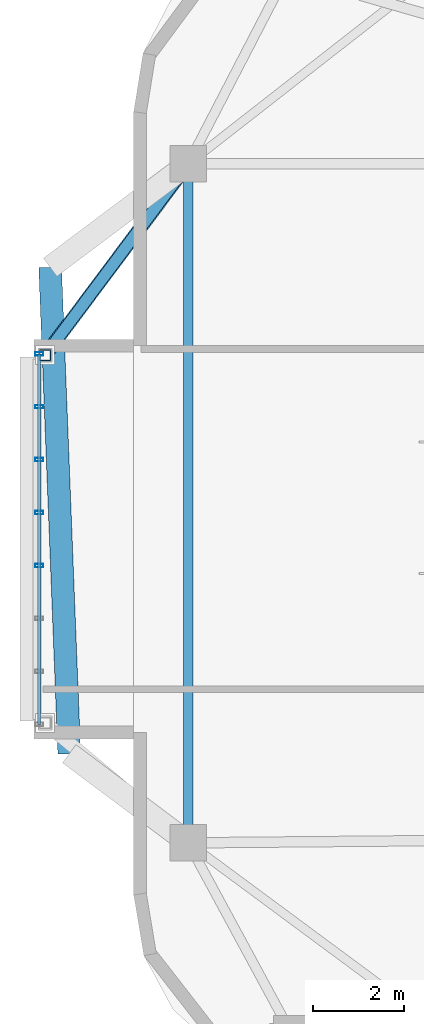
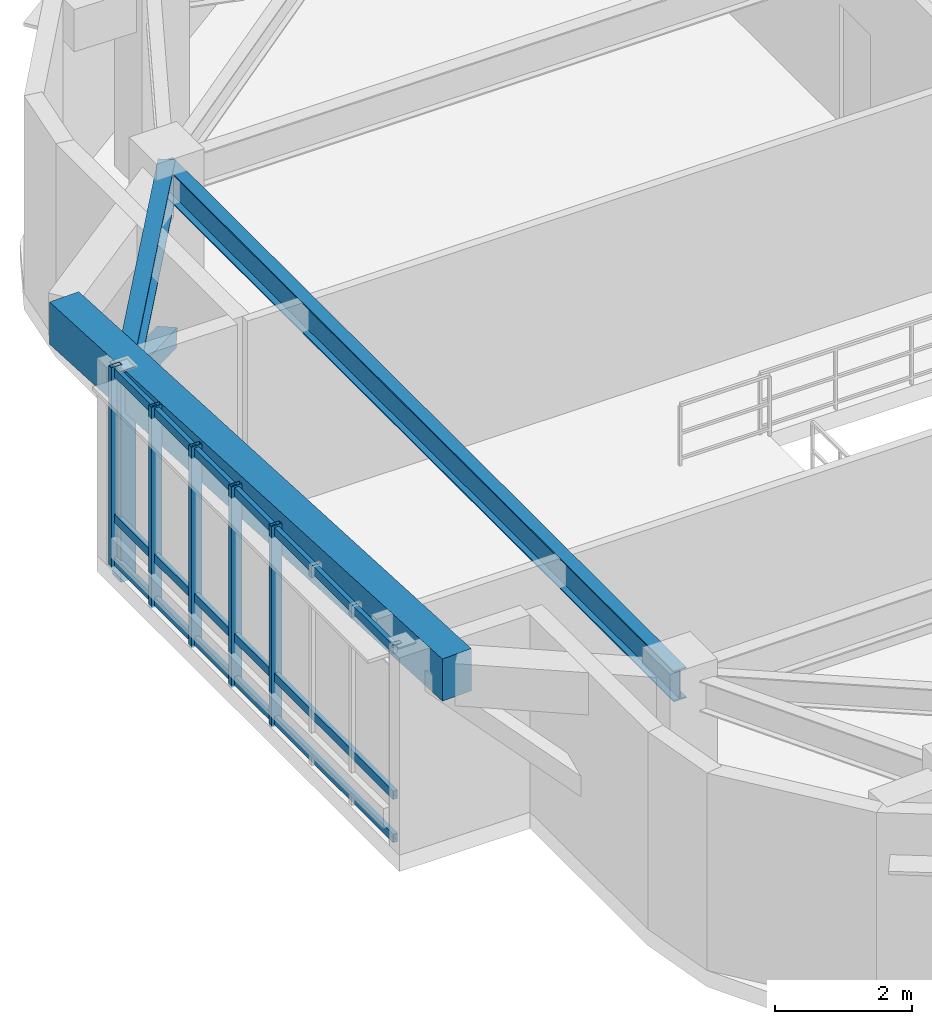
# One storey, part 4 of 16: 10 members, 3 beams, 1 element without a shape of its own.
"""IFC4 building model written with IfcOpenShell, lengths in metres."""

from ifc_helpers import new_model, si_unit, direction, frame, origin, origin_2d, place, context, subcontext, project, spatial, rectangle, hollow_rectangle, i_section, extrude, material, material_profile, profile_set, type_object, element, aggregate, save


model = new_model("IFC4")

# Units and contexts
model_context = context("Model", 3, precision=1e-05, world=origin(), true_north=direction((0.0, 1.0)))
body_context = subcontext(model_context, "Body", "Model", "MODEL_VIEW")
ifc_project = project(units=[si_unit("LENGTHUNIT", "METRE"), si_unit("AREAUNIT", "SQUARE_METRE"), si_unit("VOLUMEUNIT", "CUBIC_METRE"), si_unit("PLANEANGLEUNIT", "RADIAN"), si_unit("MASSUNIT", "GRAM", prefix="KILO")], contexts=[model_context])

# Site, building, storey
site_placement = place(None, origin())
site = spatial("IfcSite", under=ifc_project, at=site_placement, CompositionType="ELEMENT")
building_placement = place(site_placement, origin())
building = spatial("IfcBuilding", under=site, at=building_placement, Name="Zulverin Broadcast Headquarters", CompositionType="ELEMENT")
storey_placement = place(building_placement, frame((0.0, 0.0, 228.800048828125)))
storey = spatial("IfcBuildingStorey", under=building, at=storey_placement, Name="L58", CompositionType="ELEMENT", Elevation=228.800048828125)

# Beams
ifc_material_1 = material(Name="Concrete C40/50", Category="concrete")
ifc_material_profile_1 = material_profile(ifc_material_1, rectangle(XDim=0.5, YDim=0.75, at=origin_2d()), Name="Concrete C40/50", Category="concrete")
ifc_profile_set_1 = profile_set([ifc_material_profile_1], Name="Concrete C40/50")
beam_type_1 = type_object("IfcBeamType", Name="BM-RC-500x750", PredefinedType="BEAM", material=ifc_profile_set_1)
beam_1_placement = place(storey_placement, frame((8.259033203125, 29.99658203125, 3.135009765625), z_axis=(0.039252429165, -0.999229326433, 0.0), x_axis=(0.999229326433, 0.039252429165, 0.0)))
element("IfcBeam", 1, at=beam_1_placement, inside=storey, type_object=beam_type_1, Name="L59 Balcony Outer Edge Trimmer Beam BAL_W", PredefinedType="BEAM", context=body_context, shape_type="SweptSolid", body=[
    extrude(rectangle(XDim=0.5, YDim=0.75, at=origin_2d()), origin(), (0.0, 0.0, 1.0), 10.722900390625),
])
ifc_material_2 = material(Name="Structural steel S355JR", Category="steel")
ifc_material_profile_2 = material_profile(ifc_material_2, i_section(OverallWidth=0.2119140625, OverallDepth=0.54443359375, WebThickness=0.0126953125, FlangeThickness=0.021240234375, at=origin_2d()), Name="Structural steel S355JR", Category="steel")
ifc_profile_set_2 = profile_set([ifc_material_profile_2], Name="Structural steel S355JR")
beam_type_2 = type_object("IfcBeamType", Name="BM-UB-533", PredefinedType="SPANDREL", material=ifc_profile_set_2)
beam_2_placement = place(storey_placement, frame((11.300048828125, 32.275390625, 3.237548828125), z_axis=(0.0, -1.0, 0.0), x_axis=(1.0, 0.0, 0.0)))
element("IfcBeam", 2, at=beam_2_placement, inside=storey, type_object=beam_type_2, Name="L58 Perimeter Spandrel Beam SP-13", PredefinedType="SPANDREL", context=body_context, shape_type="SweptSolid", body=[
    extrude(i_section(OverallWidth=0.2119140625, OverallDepth=0.54443359375, WebThickness=0.0126953125, FlangeThickness=0.021240234375, at=origin_2d()), origin(), (0.0, 0.0, 1.0), 14.956787109375),
])
ifc_material_profile_3 = material_profile(ifc_material_2, i_section(OverallWidth=0.255859375, OverallDepth=0.69287109375, WebThickness=0.014404296875, FlangeThickness=0.023681640625, at=origin_2d()), Name="Structural steel S355JR", Category="steel")
ifc_profile_set_3 = profile_set([ifc_material_profile_3], Name="Structural steel S355JR")
beam_type_3 = type_object("IfcBeamType", Name="BM-UB-686", PredefinedType="BEAM", material=ifc_profile_set_3)
beam_3_placement = place(storey_placement, frame((11.300048828125, 32.275390625, 3.163330078125), z_axis=(-0.598618428729, -0.801034316859, 0.0), x_axis=(0.801034316859, -0.598618428729, 0.0)))
element("IfcBeam", 3, at=beam_3_placement, inside=storey, type_object=beam_type_3, Name="L58 Studio Box Cantilever Girder SBOX_SKY2_W-2", PredefinedType="BEAM", context=body_context, shape_type="SweptSolid", body=[
    extrude(i_section(OverallWidth=0.255859375, OverallDepth=0.69287109375, WebThickness=0.014404296875, FlangeThickness=0.023681640625, at=origin_2d()), origin(), (0.0, 0.0, 1.0), 5.262451171875),
])

# Curtain wall, members
ifc_material_3 = material(Name="Acoustic triple-glazed studio box curtain wall", Category="aluminium")
curtain_wall_type = type_object("IfcCurtainWallType", Name="CW-SBOX", PredefinedType="USERDEFINED", material=ifc_material_3)
curtain_wall_placement = place(storey_placement, origin())
curtain_wall = element("IfcCurtainWall", 4, at=curtain_wall_placement, inside=storey, type_object=curtain_wall_type, Name="L58 Unitised Curtain Wall CW-L58-SBOX_SKY2_W-F", ObjectType="UNITISED CURTAIN WALL", PredefinedType="USERDEFINED")
ifc_material_4 = material(Name="Anodized pale-metal aluminium alloy 6063-T6", Category="aluminium")
ifc_material_profile_4 = material_profile(ifc_material_4, hollow_rectangle(XDim=0.074951171875, YDim=0.179931640625, WallThickness=0.0048828125, at=origin_2d()), Name="Anodized pale-metal aluminium alloy 6063-T6", Category="aluminium")
ifc_profile_set_4 = profile_set([ifc_material_profile_4], Name="Anodized pale-metal aluminium alloy 6063-T6")
member_type_1 = type_object("IfcMemberType", Name="CW-MUL-180", PredefinedType="MULLION", material=ifc_profile_set_4)
member_1_placement = place(storey_placement, frame((8.02001953125, 28.090087890625, -0.030029296875), z_axis=(0.0, 0.0, 1.0), x_axis=(0.0, -1.0, 0.0)))
member_1 = element("IfcMember", 5, at=member_1_placement, type_object=member_type_1, Name="CW-L58-SBOX_SKY2_W-F Mullion 00", PredefinedType="MULLION", context=body_context, shape_type="SweptSolid", body=[
    extrude(hollow_rectangle(XDim=0.074951171875, YDim=0.179931640625, WallThickness=0.0048828125, at=origin_2d()), origin(), (0.0, 0.0, 1.0), 3.570068359375),
])
member_2_placement = place(storey_placement, frame((8.02001953125, 26.92431640625, -0.030029296875), z_axis=(0.0, 0.0, 1.0), x_axis=(0.0, -1.0, 0.0)))
member_2 = element("IfcMember", 6, at=member_2_placement, type_object=member_type_1, Name="CW-L58-SBOX_SKY2_W-F Mullion 01", PredefinedType="MULLION", context=body_context, shape_type="SweptSolid", body=[
    extrude(hollow_rectangle(XDim=0.074951171875, YDim=0.179931640625, WallThickness=0.0048828125, at=origin_2d()), origin(), (0.0, 0.0, 1.0), 3.570068359375),
])
member_3_placement = place(storey_placement, frame((8.02001953125, 25.758544921875, -0.030029296875), z_axis=(0.0, 0.0, 1.0), x_axis=(0.0, -1.0, 0.0)))
member_3 = element("IfcMember", 7, at=member_3_placement, type_object=member_type_1, Name="CW-L58-SBOX_SKY2_W-F Mullion 02", PredefinedType="MULLION", context=body_context, shape_type="SweptSolid", body=[
    extrude(hollow_rectangle(XDim=0.074951171875, YDim=0.179931640625, WallThickness=0.0048828125, at=origin_2d()), origin(), (0.0, 0.0, 1.0), 3.570068359375),
])
member_4_placement = place(storey_placement, frame((8.02001953125, 24.593017578125, -0.030029296875), z_axis=(0.0, 0.0, 1.0), x_axis=(0.0, -1.0, 0.0)))
member_4 = element("IfcMember", 8, at=member_4_placement, type_object=member_type_1, Name="CW-L58-SBOX_SKY2_W-F Mullion 03", PredefinedType="MULLION", context=body_context, shape_type="SweptSolid", body=[
    extrude(hollow_rectangle(XDim=0.074951171875, YDim=0.179931640625, WallThickness=0.0048828125, at=origin_2d()), origin(), (0.0, 0.0, 1.0), 3.570068359375),
])
member_5_placement = place(storey_placement, frame((8.02001953125, 23.427001953125, -0.030029296875), z_axis=(0.0, 0.0, 1.0), x_axis=(0.0, -1.0, 0.0)))
member_5 = element("IfcMember", 9, at=member_5_placement, type_object=member_type_1, Name="CW-L58-SBOX_SKY2_W-F Mullion 04", PredefinedType="MULLION", context=body_context, shape_type="SweptSolid", body=[
    extrude(hollow_rectangle(XDim=0.074951171875, YDim=0.179931640625, WallThickness=0.0048828125, at=origin_2d()), origin(), (0.0, 0.0, 1.0), 3.570068359375),
])
ifc_material_profile_5 = material_profile(ifc_material_4, hollow_rectangle(XDim=0.074951171875, YDim=0.14990234375, WallThickness=0.0048828125, at=origin_2d()), Name="Anodized pale-metal aluminium alloy 6063-T6", Category="aluminium")
ifc_profile_set_5 = profile_set([ifc_material_profile_5], Name="Anodized pale-metal aluminium alloy 6063-T6")
member_type_2 = type_object("IfcMemberType", Name="CW-TRN-150", PredefinedType="USERDEFINED", material=ifc_profile_set_5)
member_6_placement = place(storey_placement, frame((8.02001953125, 28.090087890625, 0.074951171875), z_axis=(0.0, -1.0, 0.0), x_axis=(1.0, 0.0, 0.0)))
member_6 = element("IfcMember", 10, at=member_6_placement, type_object=member_type_2, Name="CW-L58-SBOX_SKY2_W-F Transom 0", ObjectType="TRANSOM", PredefinedType="USERDEFINED", context=body_context, shape_type="SweptSolid", body=[
    extrude(hollow_rectangle(XDim=0.074951171875, YDim=0.14990234375, WallThickness=0.0048828125, at=origin_2d()), origin(), (0.0, 0.0, 1.0), 8.16015625),
])
member_7_placement = place(storey_placement, frame((8.02001953125, 28.090087890625, 0.84228515625), z_axis=(0.0, -1.0, 0.0), x_axis=(1.0, 0.0, 0.0)))
member_7 = element("IfcMember", 11, at=member_7_placement, type_object=member_type_2, Name="CW-L58-SBOX_SKY2_W-F Transom 1", ObjectType="TRANSOM", PredefinedType="USERDEFINED", context=body_context, shape_type="SweptSolid", body=[
    extrude(hollow_rectangle(XDim=0.074951171875, YDim=0.14990234375, WallThickness=0.0048828125, at=origin_2d()), origin(), (0.0, 0.0, 1.0), 8.16015625),
])
member_8_placement = place(storey_placement, frame((8.02001953125, 28.090087890625, 3.43505859375), z_axis=(0.0, -1.0, 0.0), x_axis=(1.0, 0.0, 0.0)))
member_8 = element("IfcMember", 12, at=member_8_placement, type_object=member_type_2, Name="CW-L58-SBOX_SKY2_W-F Transom 2", ObjectType="TRANSOM", PredefinedType="USERDEFINED", context=body_context, shape_type="SweptSolid", body=[
    extrude(hollow_rectangle(XDim=0.074951171875, YDim=0.14990234375, WallThickness=0.0048828125, at=origin_2d()), origin(), (0.0, 0.0, 1.0), 8.16015625),
])
aggregate(curtain_wall, [member_1, member_2, member_3, member_4, member_5, member_6, member_7, member_8])

# Members
ifc_material_profile_6 = material_profile(ifc_material_2, hollow_rectangle(XDim=0.300048828125, YDim=0.300048828125, WallThickness=0.01611328125, at=origin_2d()), Name="Structural steel S355JR", Category="steel")
ifc_profile_set_6 = profile_set([ifc_material_profile_6], Name="Structural steel S355JR")
member_type_3 = type_object("IfcMemberType", Name="MBR-BLT-DIAG1", PredefinedType="BRACE", material=ifc_profile_set_6)
member_9_placement = place(storey_placement, frame((11.300048828125, 32.275390625, 0.349853515625), z_axis=(-0.525955437975, -0.703801177407, 0.477529873353), x_axis=(0.801034316859, -0.598618428729, 0.0)))
element("IfcMember", 13, at=member_9_placement, inside=storey, type_object=member_type_3, Name="L58 Studio Box Raking Knee Brace SBOX_SKY2_W-2", PredefinedType="BRACE", context=body_context, shape_type="SweptSolid", body=[
    extrude(hollow_rectangle(XDim=0.300048828125, YDim=0.300048828125, WallThickness=0.01611328125, at=origin_2d()), origin(), (0.0, 0.0, 1.0), 5.9892578125),
])
ifc_material_profile_7 = material_profile(ifc_material_2, hollow_rectangle(XDim=0.25, YDim=0.25, WallThickness=0.01611328125, at=origin_2d()), Name="Structural steel S355JR", Category="steel")
ifc_profile_set_7 = profile_set([ifc_material_profile_7], Name="Structural steel S355JR")
member_type_4 = type_object("IfcMemberType", Name="MBR-BLT-POST", PredefinedType="POST", material=ifc_profile_set_7)
member_10_placement = place(storey_placement, frame((8.14990234375, 28.06005859375, -0.239990234375), z_axis=(0.0, 0.0, 1.0), x_axis=(1.0, 0.0, 0.0)))
element("IfcMember", 14, at=member_10_placement, inside=storey, type_object=member_type_4, Name="L58 Shifted Studio Box Frame Post SBOX_SKY2_W-2", PredefinedType="POST", context=body_context, shape_type="SweptSolid", body=[
    extrude(hollow_rectangle(XDim=0.25, YDim=0.25, WallThickness=0.01611328125, at=origin_2d()), origin(), (0.0, 0.0, 1.0), 3.75),
])

save(model, "model.ifc")
